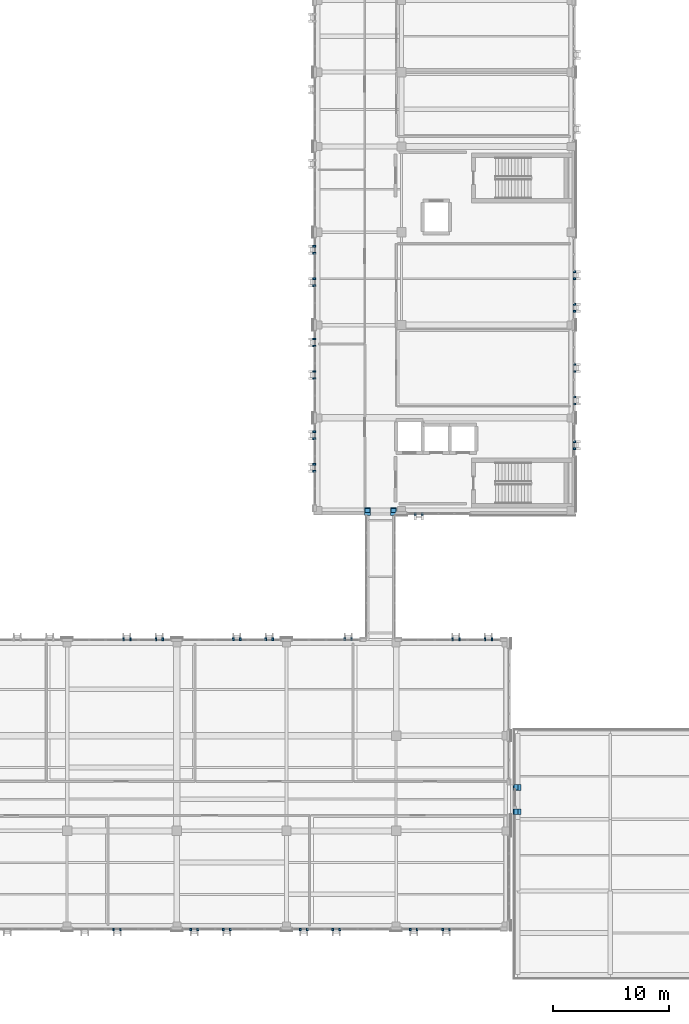
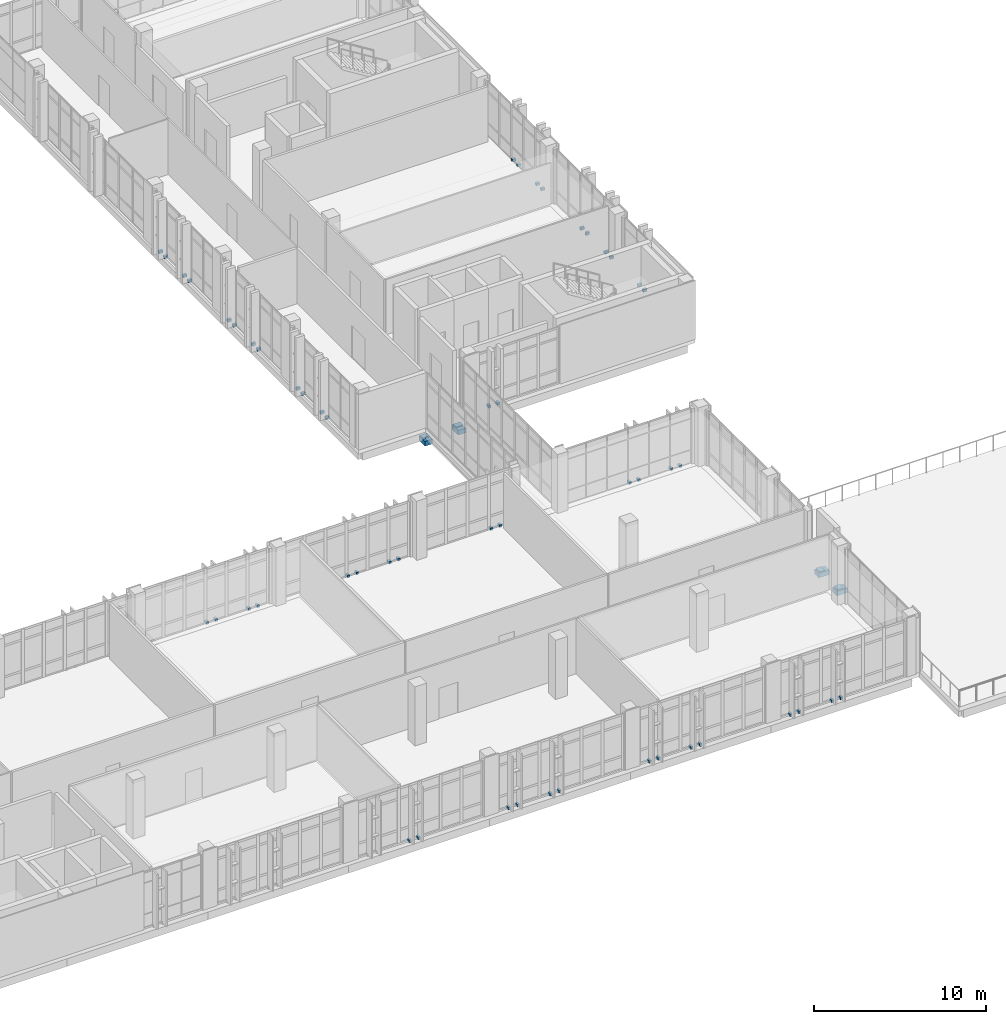
# One storey, part 143 of 165: 60 discrete accessories.
"""IFC4 building model written with IfcOpenShell, lengths in metres."""

from ifc_helpers import new_model, si_unit, direction, frame, origin, origin_2d, place, context, subcontext, project, spatial, rectangle, extrude, material, type_object, element, save


model = new_model("IFC4")

# Units and contexts
model_context = context("Model", 3, precision=1e-05, world=origin(), true_north=direction((0.0, 1.0)))
body_context = subcontext(model_context, "Body", "Model", "MODEL_VIEW")
ifc_project = project(units=[si_unit("LENGTHUNIT", "METRE"), si_unit("AREAUNIT", "SQUARE_METRE"), si_unit("VOLUMEUNIT", "CUBIC_METRE"), si_unit("PLANEANGLEUNIT", "RADIAN"), si_unit("MASSUNIT", "GRAM", prefix="KILO")], contexts=[model_context])

# Site, building, storey
site_placement = place(None, origin())
site = spatial("IfcSite", under=ifc_project, at=site_placement, CompositionType="ELEMENT")
building_placement = place(site_placement, origin())
building = spatial("IfcBuilding", under=site, at=building_placement, Name="Qalavern Law Courts", CompositionType="ELEMENT")
storey_placement = place(building_placement, frame((0.0, 0.0, 14.39990234375)))
storey = spatial("IfcBuildingStorey", under=building, at=storey_placement, Name="L03", CompositionType="ELEMENT", Elevation=14.39990234375)

# Discrete accessories
ifc_material_1 = material(Name="Steel S355", Category="steel")
discrete_accessory_type_1 = type_object("IfcDiscreteAccessoryType", Name="ENV-BRK-FIN", PredefinedType="BRACKET", material=ifc_material_1)
for number, where, z_axis, x_axis, name in (
    (1, (66.98291015625, 5.28759765625, -0.06982421875), (0.0, 0.0, 1.0), (0.0, -1.0, 0.0), "Stone blade anchor bracket 0105"),
    (2, (67.5830078125, 5.28759765625, -0.06982421875), (0.0, 0.0, 1.0), (0.0, -1.0, 0.0), "Stone blade anchor bracket 0106"),
    (3, (73.63720703125, 5.28759765625, -0.06982421875), (0.0, 0.0, 1.0), (0.0, -1.0, 0.0), "Stone blade anchor bracket 0107"),
    (4, (74.237060546875, 5.28759765625, -0.06982421875), (0.0, 0.0, 1.0), (0.0, -1.0, 0.0), "Stone blade anchor bracket 0108"),
    (5, (76.43701171875, 5.28759765625, -0.06982421875), (0.0, 0.0, 1.0), (0.0, -1.0, 0.0), "Stone blade anchor bracket 0109"),
    (6, (77.037109375, 5.28759765625, -0.06982421875), (0.0, 0.0, 1.0), (0.0, -1.0, 0.0), "Stone blade anchor bracket 0110"),
    (7, (83.09130859375, 5.28759765625, -0.06982421875), (0.0, 0.0, 1.0), (0.0, -1.0, 0.0), "Stone blade anchor bracket 0111"),
    (8, (83.69140625, 5.28759765625, -0.06982421875), (0.0, 0.0, 1.0), (0.0, -1.0, 0.0), "Stone blade anchor bracket 0112"),
    (9, (85.891357421875, 5.28759765625, -0.06982421875), (0.0, 0.0, 1.0), (0.0, -1.0, 0.0), "Stone blade anchor bracket 0113"),
    (10, (86.491455078125, 5.28759765625, -0.06982421875), (0.0, 0.0, 1.0), (0.0, -1.0, 0.0), "Stone blade anchor bracket 0114"),
    (11, (92.545654296875, 5.28759765625, -0.06982421875), (0.0, 0.0, 1.0), (0.0, -1.0, 0.0), "Stone blade anchor bracket 0115"),
    (12, (93.145751953125, 5.28759765625, -0.06982421875), (0.0, 0.0, 1.0), (0.0, -1.0, 0.0), "Stone blade anchor bracket 0116"),
    (13, (95.345703125, 5.28759765625, -0.06982421875), (0.0, 0.0, 1.0), (0.0, -1.0, 0.0), "Stone blade anchor bracket 0117"),
    (14, (95.94580078125, 5.28759765625, -0.06982421875), (0.0, 0.0, 1.0), (0.0, -1.0, 0.0), "Stone blade anchor bracket 0118"),
    (15, (99.60009765625, 30.3125, -0.06982421875), (0.0, 0.0, 1.0), (0.0, 1.0, 0.0), "Stone blade anchor bracket 0119"),
    (16, (99.0, 30.3125, -0.06982421875), (0.0, 0.0, 1.0), (0.0, 1.0, 0.0), "Stone blade anchor bracket 0120"),
    (17, (96.800048828125, 30.3125, -0.06982421875), (0.0, 0.0, 1.0), (0.0, 1.0, 0.0), "Stone blade anchor bracket 0121"),
    (18, (96.199951171875, 30.3125, -0.06982421875), (0.0, 0.0, 1.0), (0.0, 1.0, 0.0), "Stone blade anchor bracket 0122"),
    (19, (87.5, 30.3125, -0.06982421875), (0.0, 0.0, 1.0), (0.0, 1.0, 0.0), "Stone blade anchor bracket 0123"),
    (20, (86.89990234375, 30.3125, -0.06982421875), (0.0, 0.0, 1.0), (0.0, 1.0, 0.0), "Stone blade anchor bracket 0124"),
    (21, (80.69140625, 30.3125, -0.06982421875), (0.0, 0.0, 1.0), (0.0, 1.0, 0.0), "Stone blade anchor bracket 0125"),
    (22, (80.09130859375, 30.3125, -0.06982421875), (0.0, 0.0, 1.0), (0.0, 1.0, 0.0), "Stone blade anchor bracket 0126"),
    (23, (77.891357421875, 30.3125, -0.06982421875), (0.0, 0.0, 1.0), (0.0, 1.0, 0.0), "Stone blade anchor bracket 0127"),
    (24, (77.29150390625, 30.3125, -0.06982421875), (0.0, 0.0, 1.0), (0.0, 1.0, 0.0), "Stone blade anchor bracket 0128"),
    (25, (71.237060546875, 30.3125, -0.06982421875), (0.0, 0.0, 1.0), (0.0, 1.0, 0.0), "Stone blade anchor bracket 0129"),
    (26, (70.63720703125, 30.3125, -0.06982421875), (0.0, 0.0, 1.0), (0.0, 1.0, 0.0), "Stone blade anchor bracket 0130"),
    (27, (68.43701171875, 30.3125, -0.06982421875), (0.0, 0.0, 1.0), (0.0, 1.0, 0.0), "Stone blade anchor bracket 0131"),
    (28, (67.837158203125, 30.3125, -0.06982421875), (0.0, 0.0, 1.0), (0.0, 1.0, 0.0), "Stone blade anchor bracket 0132"),
    (29, (93.0, 41.107421875, -0.06982421875), (0.0, 0.0, 1.0), (0.0, -1.0, 0.0), "Stone blade anchor bracket 0623"),
    (30, (93.60009765625, 41.107421875, -0.06982421875), (0.0, 0.0, 1.0), (0.0, -1.0, 0.0), "Stone blade anchor bracket 0624"),
    (31, (106.71240234375, 46.75, -0.06982421875), (0.0, 0.0, 1.0), (1.0, 0.0, 0.0), "Stone blade anchor bracket 0625"),
    (32, (106.71240234375, 47.35009765625, -0.06982421875), (0.0, 0.0, 1.0), (1.0, 0.0, 0.0), "Stone blade anchor bracket 0626"),
    (33, (106.71240234375, 50.60009765625, -0.06982421875), (0.0, 0.0, 1.0), (1.0, 0.0, 0.0), "Stone blade anchor bracket 0627"),
    (34, (106.71240234375, 51.199951171875, -0.06982421875), (0.0, 0.0, 1.0), (1.0, 0.0, 0.0), "Stone blade anchor bracket 0628"),
    (35, (106.71240234375, 53.39990234375, -0.06982421875), (0.0, 0.0, 1.0), (1.0, 0.0, 0.0), "Stone blade anchor bracket 0629"),
    (36, (106.71240234375, 54.0, -0.06982421875), (0.0, 0.0, 1.0), (1.0, 0.0, 0.0), "Stone blade anchor bracket 0630"),
    (37, (106.71240234375, 58.60009765625, -0.06982421875), (0.0, 0.0, 1.0), (1.0, 0.0, 0.0), "Stone blade anchor bracket 0631"),
    (38, (106.71240234375, 59.199951171875, -0.06982421875), (0.0, 0.0, 1.0), (1.0, 0.0, 0.0), "Stone blade anchor bracket 0632"),
    (39, (106.71240234375, 61.39990234375, -0.06982421875), (0.0, 0.0, 1.0), (1.0, 0.0, 0.0), "Stone blade anchor bracket 0633"),
    (40, (106.71240234375, 62.0, -0.06982421875), (0.0, 0.0, 1.0), (1.0, 0.0, 0.0), "Stone blade anchor bracket 0634"),
    (41, (84.28759765625, 64.199951171875, -0.06982421875), (0.0, 0.0, 1.0), (-1.0, 0.0, 0.0), "Stone blade anchor bracket 0655"),
    (42, (84.28759765625, 63.60009765625, -0.06982421875), (0.0, 0.0, 1.0), (-1.0, 0.0, 0.0), "Stone blade anchor bracket 0656"),
    (43, (84.28759765625, 61.39990234375, -0.06982421875), (0.0, 0.0, 1.0), (-1.0, 0.0, 0.0), "Stone blade anchor bracket 0657"),
    (44, (84.28759765625, 60.800048828125, -0.06982421875), (0.0, 0.0, 1.0), (-1.0, 0.0, 0.0), "Stone blade anchor bracket 0658"),
    (45, (84.28759765625, 56.199951171875, -0.06982421875), (0.0, 0.0, 1.0), (-1.0, 0.0, 0.0), "Stone blade anchor bracket 0659"),
    (46, (84.28759765625, 55.60009765625, -0.06982421875), (0.0, 0.0, 1.0), (-1.0, 0.0, 0.0), "Stone blade anchor bracket 0660"),
    (47, (84.28759765625, 53.39990234375, -0.06982421875), (0.0, 0.0, 1.0), (-1.0, 0.0, 0.0), "Stone blade anchor bracket 0661"),
    (48, (84.28759765625, 52.800048828125, -0.06982421875), (0.0, 0.0, 1.0), (-1.0, 0.0, 0.0), "Stone blade anchor bracket 0662"),
    (49, (84.28759765625, 48.199951171875, -0.06982421875), (0.0, 0.0, 1.0), (-1.0, 0.0, 0.0), "Stone blade anchor bracket 0663"),
    (50, (84.28759765625, 47.60009765625, -0.06982421875), (0.0, 0.0, 1.0), (-1.0, 0.0, 0.0), "Stone blade anchor bracket 0664"),
    (51, (84.28759765625, 45.39990234375, -0.06982421875), (0.0, 0.0, 1.0), (-1.0, 0.0, 0.0), "Stone blade anchor bracket 0665"),
    (52, (84.28759765625, 44.800048828125, -0.06982421875), (0.0, 0.0, 1.0), (-1.0, 0.0, 0.0), "Stone blade anchor bracket 0666"),
):
    element("IfcDiscreteAccessory", number, at=place(storey_placement, frame(where, z_axis=z_axis, x_axis=x_axis)), inside=storey, type_object=discrete_accessory_type_1, Name=name, PredefinedType="BRACKET", context=body_context, shape_type="SweptSolid", body=[
        extrude(rectangle(XDim=0.239990234375, YDim=0.159912109375, at=origin_2d()), origin(), (0.0, 0.0, 1.0), 0.179931640625),
    ])
ifc_material_2 = material(Name="Concrete C45/55", Category="concrete")
discrete_accessory_type_2 = type_object("IfcDiscreteAccessoryType", Name="STR-CORBEL-700", PredefinedType="BRACKET", material=ifc_material_2)
for number, where, z_axis, x_axis, name in (
    (53, (101.77001953125, 15.449951171875, -0.7119140625), (0.0, 0.0, 1.0), (1.0, 0.0, 0.0), "Bridge BR-V2-V6 700 mm corbel seat 1 L03"),
    (54, (101.77001953125, 17.550048828125, -0.7119140625), (0.0, 0.0, 1.0), (1.0, 0.0, 0.0), "Bridge BR-V2-V6 700 mm corbel seat 2 L03"),
):
    element("IfcDiscreteAccessory", number, at=place(storey_placement, frame(where, z_axis=z_axis, x_axis=x_axis)), inside=storey, type_object=discrete_accessory_type_2, Name=name, PredefinedType="BRACKET", context=body_context, shape_type="SweptSolid", body=[
        extrude(rectangle(XDim=0.699951171875, YDim=0.5, at=origin_2d()), origin(), (0.0, 0.0, 1.0), 0.320068359375),
    ])
for number, where, z_axis, x_axis, name in (
    (55, (88.8798828125, 41.320068359375, -1.23486328125), (0.0, 0.0, 1.0), (1.0, 0.0, 0.0), "Bridge BR-V2-V4 700 mm corbel seat 1 L03"),
    (56, (91.1201171875, 41.320068359375, -1.23486328125), (0.0, 0.0, 1.0), (1.0, 0.0, 0.0), "Bridge BR-V2-V4 700 mm corbel seat 2 L03"),
):
    element("IfcDiscreteAccessory", number, at=place(storey_placement, frame(where, z_axis=z_axis, x_axis=x_axis)), inside=storey, type_object=discrete_accessory_type_2, Name=name, PredefinedType="BRACKET", context=body_context, shape_type="SweptSolid", body=[
        extrude(rectangle(XDim=0.5, YDim=0.699951171875, at=origin_2d()), origin(), (0.0, 0.0, 1.0), 0.320068359375),
    ])
discrete_accessory_type_3 = type_object("IfcDiscreteAccessoryType", Name="STR-SHOE-PTFE350", PredefinedType="SHOE", material=ifc_material_1)
for number, where, z_axis, x_axis, name in (
    (57, (101.669921875, 15.449951171875, -0.391845703125), (0.0, 0.0, 1.0), (1.0, 0.0, 0.0), "Seismic bridge PTFE sliding bearing 21"),
    (58, (101.669921875, 17.550048828125, -0.391845703125), (0.0, 0.0, 1.0), (1.0, 0.0, 0.0), "Seismic bridge PTFE sliding bearing 22"),
):
    element("IfcDiscreteAccessory", number, at=place(storey_placement, frame(where, z_axis=z_axis, x_axis=x_axis)), inside=storey, type_object=discrete_accessory_type_3, Name=name, PredefinedType="SHOE", context=body_context, shape_type="SweptSolid", body=[
        extrude(rectangle(XDim=0.35009765625, YDim=0.449951171875, at=origin_2d()), origin(), (0.0, 0.0, 1.0), 0.080078125),
    ])
for number, where, z_axis, x_axis, name in (
    (59, (88.8798828125, 41.419921875, -0.9150390625), (0.0, 0.0, 1.0), (1.0, 0.0, 0.0), "Seismic bridge PTFE sliding bearing 39"),
    (60, (91.1201171875, 41.419921875, -0.9150390625), (0.0, 0.0, 1.0), (1.0, 0.0, 0.0), "Seismic bridge PTFE sliding bearing 40"),
):
    element("IfcDiscreteAccessory", number, at=place(storey_placement, frame(where, z_axis=z_axis, x_axis=x_axis)), inside=storey, type_object=discrete_accessory_type_3, Name=name, PredefinedType="SHOE", context=body_context, shape_type="SweptSolid", body=[
        extrude(rectangle(XDim=0.449951171875, YDim=0.35009765625, at=origin_2d()), origin(), (0.0, 0.0, 1.0), 0.080078125),
    ])

save(model, "model.ifc")
